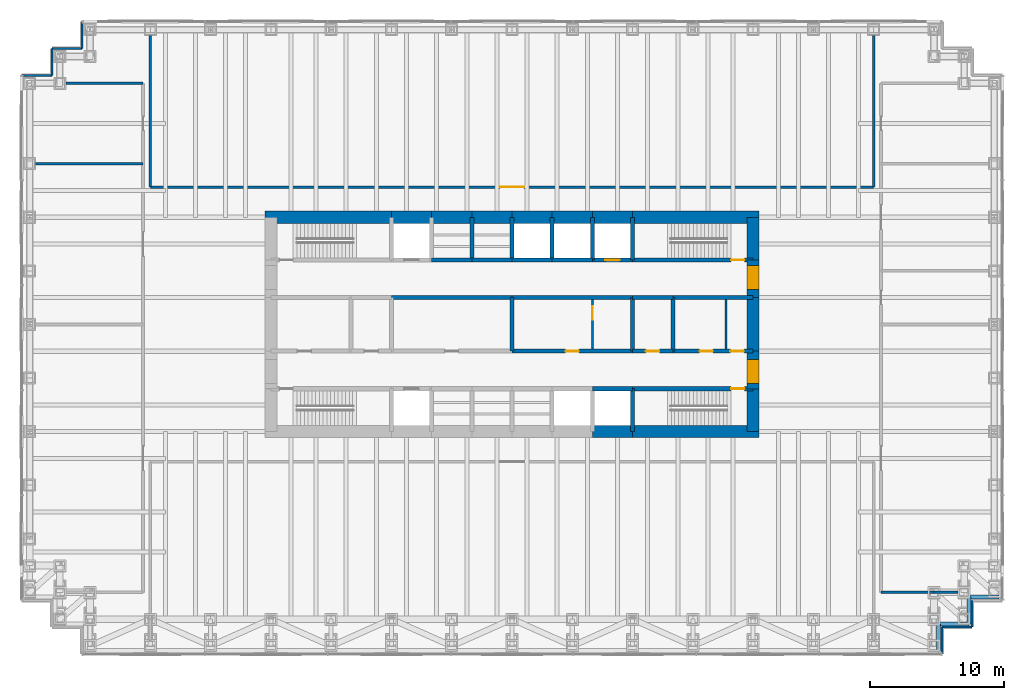
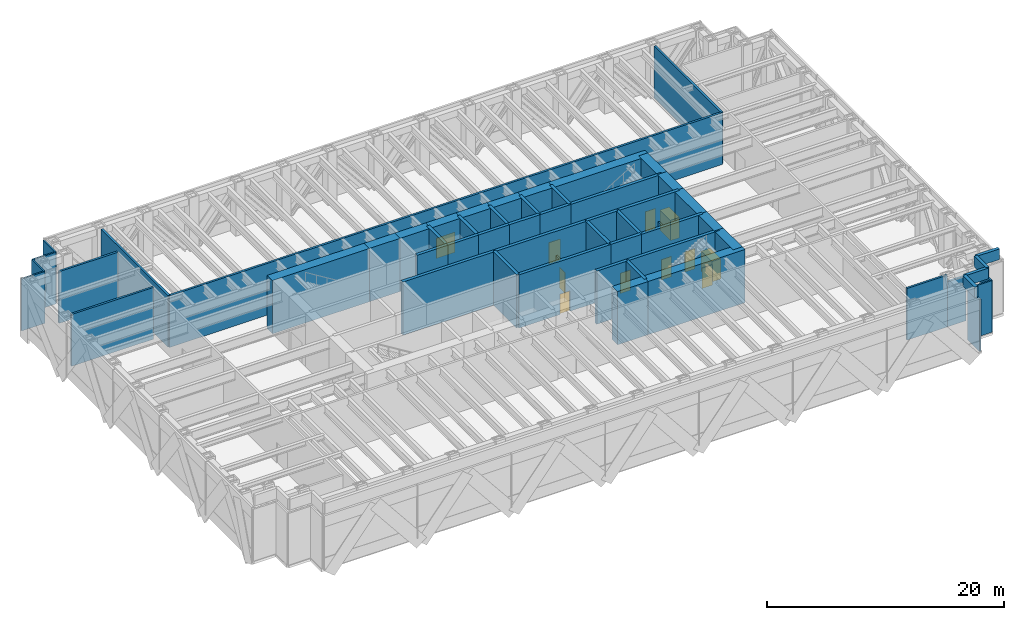
# One storey, part 14 of 16: 59 walls, 11 doors, 11 openings.
"""IFC4 building model written with IfcOpenShell, lengths in metres."""

from ifc_helpers import new_model, si_unit, direction, frame, frame_2d, origin, place, context, subcontext, project, spatial, rectangle, extrude, material, layer, layer_set, type_object, element, fill, save


model = new_model("IFC4")

# Units and contexts
model_context = context("Model", 3, precision=1e-05, world=origin(), true_north=direction((0.0, 1.0)))
body_context = subcontext(model_context, "Body", "Model", "MODEL_VIEW")
ifc_project = project(units=[si_unit("LENGTHUNIT", "METRE"), si_unit("AREAUNIT", "SQUARE_METRE"), si_unit("VOLUMEUNIT", "CUBIC_METRE"), si_unit("PLANEANGLEUNIT", "RADIAN"), si_unit("MASSUNIT", "GRAM", prefix="KILO")], contexts=[model_context])

# Site, building, storey
site_placement = place(None, origin())
site = spatial("IfcSite", under=ifc_project, at=site_placement, CompositionType="ELEMENT")
building_placement = place(site_placement, origin())
building = spatial("IfcBuilding", under=site, at=building_placement, Name="Rheinbord Bourse Tower", CompositionType="ELEMENT")
storey_placement = place(building_placement, frame((0.0, 0.0, 95.0)))
storey = spatial("IfcBuildingStorey", under=building, at=storey_placement, Name="L20", CompositionType="ELEMENT", Elevation=95.0)

# Wall
ifc_material_1 = material(Name="Concrete C50/60", Category="concrete")
ifc_layer_1 = layer(ifc_material_1, 0.300048828125)
ifc_layer_set_1 = layer_set([ifc_layer_1], Name="CORE INNER WALL 300")
wall_type_1 = type_object("IfcWallType", Name="CORE INNER WALL 300", PredefinedType="SOLIDWALL", material=ifc_layer_set_1)
wall_1_placement = place(storey_placement, frame((42.0, 19.199951171875, 0.0), z_axis=(0.0, 0.0, 1.0), x_axis=(1.0, 0.0, 0.0)))
element("IfcWall", 1, at=wall_1_placement, inside=storey, type_object=wall_type_1, Name="Core wall A7 L20", PredefinedType="SOLIDWALL", context=body_context, shape_type="SweptSolid", body=[
    extrude(rectangle(XDim=3.0, YDim=0.300048828125, at=frame_2d((1.5, 0.0))), origin(), (0.0, 0.0, 1.0), 5.5),
])

# Wall, opening, door
wall_2_placement = place(storey_placement, frame((45.0, 19.199951171875, 0.0), z_axis=(0.0, 0.0, 1.0), x_axis=(1.0, 0.0, 0.0)))
wall_2 = element("IfcWall", 2, at=wall_2_placement, inside=storey, type_object=wall_type_1, Name="Core wall A8 L20", PredefinedType="SOLIDWALL", context=body_context, shape_type="SweptSolid", body=[
    extrude(rectangle(XDim=9.0, YDim=0.300048828125, at=frame_2d((4.5, 0.0))), origin(), (0.0, 0.0, 1.0), 5.5),
])
opening_1_placement = place(wall_2_placement, frame((7.35009765625, 0.0, 0.0)))
opening_1 = element("IfcOpeningElement", 3, at=opening_1_placement, cuts=wall_2, Name="Opening 2030", PredefinedType="OPENING", context=body_context, shape_type="SweptSolid", body=[
    extrude(rectangle(XDim=1.0, YDim=2.10009765625, at=frame_2d((0.5, 1.050048828125))), frame((0.0, 0.159912109375, 0.0), z_axis=(0.0, -1.0, 0.0), x_axis=(1.0, 0.0, 0.0)), (0.0, 0.0, 1.0), 0.320068359375),
])
ifc_material_2 = material(Name="Steel door", Category="steel")
door_type_1 = type_object("IfcDoorType", Name="DOOR 1000 EI30", OperationType="SINGLE_SWING_LEFT", PredefinedType="DOOR", material=ifc_material_2)
door_1_placement = place(opening_1_placement, origin())
door_1 = element("IfcDoor", 4, at=door_1_placement, inside=storey, type_object=door_type_1, Name="Stair door ST3 L20", OperationType="SINGLE_SWING_RIGHT", OverallHeight=2.10009765625, OverallWidth=1.0, PredefinedType="DOOR", context=body_context, shape_type="SweptSolid", body=[
    extrude(rectangle(XDim=1.0, YDim=2.10009765625, at=frame_2d((0.5, 1.050048828125))), frame((0.0, 0.02490234375, 0.0), z_axis=(0.0, -1.0, 0.0), x_axis=(1.0, 0.0, 0.0)), (0.0, 0.0, 1.0), 0.050048828125),
])
fill(opening_1, door_1)

# Walls
for number, where, z_axis, x_axis, name in (
    (5, (30.0, 28.800048828125, 0.0), (0.0, 0.0, 1.0), (1.0, 0.0, 0.0), "Core wall B3 L20"),
    (6, (33.0, 28.800048828125, 0.0), (0.0, 0.0, 1.0), (1.0, 0.0, 0.0), "Core wall B4 L20"),
    (7, (36.0, 28.800048828125, 0.0), (0.0, 0.0, 1.0), (1.0, 0.0, 0.0), "Core wall B5 L20"),
    (8, (39.0, 28.800048828125, 0.0), (0.0, 0.0, 1.0), (1.0, 0.0, 0.0), "Core wall B6 L20"),
):
    element("IfcWall", number, at=place(storey_placement, frame(where, z_axis=z_axis, x_axis=x_axis)), inside=storey, type_object=wall_type_1, Name=name, PredefinedType="SOLIDWALL", context=body_context, shape_type="SweptSolid", body=[
        extrude(rectangle(XDim=3.0, YDim=0.300048828125, at=frame_2d((1.5, 0.0))), origin(), (0.0, 0.0, 1.0), 5.5),
    ])

# Wall, opening, door
wall_3_placement = place(storey_placement, frame((42.0, 28.800048828125, 0.0), z_axis=(0.0, 0.0, 1.0), x_axis=(1.0, 0.0, 0.0)))
wall_3 = element("IfcWall", 9, at=wall_3_placement, inside=storey, type_object=wall_type_1, Name="Core wall B7 L20", PredefinedType="SOLIDWALL", context=body_context, shape_type="SweptSolid", body=[
    extrude(rectangle(XDim=3.0, YDim=0.300048828125, at=frame_2d((1.5, 0.0))), origin(), (0.0, 0.0, 1.0), 5.5),
])
opening_2_placement = place(wall_3_placement, frame((0.949951171875, 0.0, 0.0)))
opening_2 = element("IfcOpeningElement", 10, at=opening_2_placement, cuts=wall_3, Name="Opening FL2", PredefinedType="OPENING", context=body_context, shape_type="SweptSolid", body=[
    extrude(rectangle(XDim=1.10009765625, YDim=2.199951171875, at=frame_2d((0.550048828125, 1.10009765625))), frame((0.0, 0.159912109375, 0.0), z_axis=(0.0, -1.0, 0.0), x_axis=(1.0, 0.0, 0.0)), (0.0, 0.0, 1.0), 0.320068359375),
])
ifc_material_3 = material(Name="Steel landing door", Category="steel")
door_type_2 = type_object("IfcDoorType", Name="LIFT LANDING DOOR 1100", OperationType="DOUBLE_DOOR_SLIDING", PredefinedType="USERDEFINED", material=ifc_material_3)
door_2_placement = place(opening_2_placement, origin())
door_2 = element("IfcDoor", 11, at=door_2_placement, inside=storey, type_object=door_type_2, Name="Lift landing door FL2 L20", ObjectType="LIFT LANDING DOOR", OperationType="DOUBLE_DOOR_SLIDING", OverallHeight=2.199951171875, OverallWidth=1.10009765625, PredefinedType="USERDEFINED", context=body_context, shape_type="SweptSolid", body=[
    extrude(rectangle(XDim=1.10009765625, YDim=2.199951171875, at=frame_2d((0.550048828125, 1.10009765625))), frame((0.0, 0.02490234375, 0.0), z_axis=(0.0, -1.0, 0.0), x_axis=(1.0, 0.0, 0.0)), (0.0, 0.0, 1.0), 0.050048828125),
])
fill(opening_2, door_2)

wall_4_placement = place(storey_placement, frame((45.0, 28.800048828125, 0.0), z_axis=(0.0, 0.0, 1.0), x_axis=(1.0, 0.0, 0.0)))
wall_4 = element("IfcWall", 12, at=wall_4_placement, inside=storey, type_object=wall_type_1, Name="Core wall B8 L20", PredefinedType="SOLIDWALL", context=body_context, shape_type="SweptSolid", body=[
    extrude(rectangle(XDim=9.0, YDim=0.300048828125, at=frame_2d((4.5, 0.0))), origin(), (0.0, 0.0, 1.0), 5.5),
])
opening_3_placement = place(wall_4_placement, frame((7.35009765625, 0.0, 0.0)))
opening_3 = element("IfcOpeningElement", 13, at=opening_3_placement, cuts=wall_4, Name="Opening 2040", PredefinedType="OPENING", context=body_context, shape_type="SweptSolid", body=[
    extrude(rectangle(XDim=1.0, YDim=2.10009765625, at=frame_2d((0.5, 1.050048828125))), frame((0.0, 0.159912109375, 0.0), z_axis=(0.0, -1.0, 0.0), x_axis=(1.0, 0.0, 0.0)), (0.0, 0.0, 1.0), 0.320068359375),
])
door_3_placement = place(opening_3_placement, origin())
door_3 = element("IfcDoor", 14, at=door_3_placement, inside=storey, type_object=door_type_1, Name="Stair door ST4 L20", OperationType="SINGLE_SWING_RIGHT", OverallHeight=2.10009765625, OverallWidth=1.0, PredefinedType="DOOR", context=body_context, shape_type="SweptSolid", body=[
    extrude(rectangle(XDim=1.0, YDim=2.10009765625, at=frame_2d((0.5, 1.050048828125))), frame((0.0, 0.02490234375, 0.0), z_axis=(0.0, -1.0, 0.0), x_axis=(1.0, 0.0, 0.0)), (0.0, 0.0, 1.0), 0.050048828125),
])
fill(opening_3, door_3)

wall_5_placement = place(storey_placement, frame((36.0, 22.0, 0.0), z_axis=(0.0, 0.0, 1.0), x_axis=(1.0, 0.0, 0.0)))
wall_5 = element("IfcWall", 15, at=wall_5_placement, inside=storey, type_object=wall_type_1, Name="Core wall C4 L20", PredefinedType="SOLIDWALL", context=body_context, shape_type="SweptSolid", body=[
    extrude(rectangle(XDim=9.0, YDim=0.300048828125, at=frame_2d((4.5, 0.0))), origin(), (0.0, 0.0, 1.0), 5.5),
])
opening_4_placement = place(wall_5_placement, frame((4.0, 0.0, 0.0)))
opening_4 = element("IfcOpeningElement", 16, at=opening_4_placement, cuts=wall_5, Name="Opening 20R4", PredefinedType="OPENING", context=body_context, shape_type="SweptSolid", body=[
    extrude(rectangle(XDim=1.0, YDim=2.10009765625, at=frame_2d((0.5, 1.050048828125))), frame((0.0, 0.159912109375, 0.0), z_axis=(0.0, -1.0, 0.0), x_axis=(1.0, 0.0, 0.0)), (0.0, 0.0, 1.0), 0.320068359375),
])
door_4_placement = place(opening_4_placement, origin())
door_4 = element("IfcDoor", 17, at=door_4_placement, inside=storey, type_object=door_type_1, Name="IT room door L20", OperationType="SINGLE_SWING_LEFT", OverallHeight=2.10009765625, OverallWidth=1.0, PredefinedType="DOOR", context=body_context, shape_type="SweptSolid", body=[
    extrude(rectangle(XDim=1.0, YDim=2.10009765625, at=frame_2d((0.5, 1.050048828125))), frame((0.0, 0.02490234375, 0.0), z_axis=(0.0, -1.0, 0.0), x_axis=(1.0, 0.0, 0.0)), (0.0, 0.0, 1.0), 0.050048828125),
])
fill(opening_4, door_4)

wall_6_placement = place(storey_placement, frame((45.0, 22.0, 0.0), z_axis=(0.0, 0.0, 1.0), x_axis=(1.0, 0.0, 0.0)))
wall_6 = element("IfcWall", 18, at=wall_6_placement, inside=storey, type_object=wall_type_1, Name="Core wall C5 L20", PredefinedType="SOLIDWALL", context=body_context, shape_type="SweptSolid", body=[
    extrude(rectangle(XDim=3.0, YDim=0.300048828125, at=frame_2d((1.5, 0.0))), origin(), (0.0, 0.0, 1.0), 5.5),
])
opening_5_placement = place(wall_6_placement, frame((1.0, 0.0, 0.0)))
opening_5 = element("IfcOpeningElement", 19, at=opening_5_placement, cuts=wall_6, Name="Opening 20R5", PredefinedType="OPENING", context=body_context, shape_type="SweptSolid", body=[
    extrude(rectangle(XDim=1.0, YDim=2.10009765625, at=frame_2d((0.5, 1.050048828125))), frame((0.0, 0.159912109375, 0.0), z_axis=(0.0, -1.0, 0.0), x_axis=(1.0, 0.0, 0.0)), (0.0, 0.0, 1.0), 0.320068359375),
])
ifc_material_4 = material(Name="Timber door", Category="wood")
door_type_3 = type_object("IfcDoorType", Name="DOOR 1000 WC", OperationType="SINGLE_SWING_LEFT", PredefinedType="DOOR", material=ifc_material_4)
door_5_placement = place(opening_5_placement, origin())
door_5 = element("IfcDoor", 20, at=door_5_placement, inside=storey, type_object=door_type_3, Name="Accessible WC door L20", OperationType="SINGLE_SWING_LEFT", OverallHeight=2.10009765625, OverallWidth=1.0, PredefinedType="DOOR", context=body_context, shape_type="SweptSolid", body=[
    extrude(rectangle(XDim=1.0, YDim=2.10009765625, at=frame_2d((0.5, 1.050048828125))), frame((0.0, 0.02490234375, 0.0), z_axis=(0.0, -1.0, 0.0), x_axis=(1.0, 0.0, 0.0)), (0.0, 0.0, 1.0), 0.050048828125),
])
fill(opening_5, door_5)

# Wall, openings, doors
wall_7_placement = place(storey_placement, frame((48.0, 22.0, 0.0), z_axis=(0.0, 0.0, 1.0), x_axis=(1.0, 0.0, 0.0)))
wall_7 = element("IfcWall", 21, at=wall_7_placement, inside=storey, type_object=wall_type_1, Name="Core wall C6 L20", PredefinedType="SOLIDWALL", context=body_context, shape_type="SweptSolid", body=[
    extrude(rectangle(XDim=6.0, YDim=0.300048828125, at=frame_2d((3.0, 0.0))), origin(), (0.0, 0.0, 1.0), 5.5),
])
opening_6_placement = place(wall_7_placement, frame((2.0, 0.0, 0.0)))
opening_6 = element("IfcOpeningElement", 22, at=opening_6_placement, cuts=wall_7, Name="Opening 20R6", PredefinedType="OPENING", context=body_context, shape_type="SweptSolid", body=[
    extrude(rectangle(XDim=1.0, YDim=2.10009765625, at=frame_2d((0.5, 1.050048828125))), frame((0.0, 0.159912109375, 0.0), z_axis=(0.0, -1.0, 0.0), x_axis=(1.0, 0.0, 0.0)), (0.0, 0.0, 1.0), 0.320068359375),
])
opening_7_placement = place(wall_7_placement, frame((4.300048828125, 0.0, 0.0)))
opening_7 = element("IfcOpeningElement", 23, at=opening_7_placement, cuts=wall_7, Name="Opening 20R10", PredefinedType="OPENING", context=body_context, shape_type="SweptSolid", body=[
    extrude(rectangle(XDim=1.0, YDim=2.10009765625, at=frame_2d((0.5, 1.050048828125))), frame((0.0, 0.159912109375, 0.0), z_axis=(0.0, -1.0, 0.0), x_axis=(1.0, 0.0, 0.0)), (0.0, 0.0, 1.0), 0.320068359375),
])
door_6_placement = place(opening_7_placement, origin())
door_6 = element("IfcDoor", 24, at=door_6_placement, inside=storey, type_object=door_type_1, Name="Cleaner's store door L20", OperationType="SINGLE_SWING_RIGHT", OverallHeight=2.10009765625, OverallWidth=1.0, PredefinedType="DOOR", context=body_context, shape_type="SweptSolid", body=[
    extrude(rectangle(XDim=1.0, YDim=2.10009765625, at=frame_2d((0.5, 1.050048828125))), frame((0.0, 0.02490234375, 0.0), z_axis=(0.0, -1.0, 0.0), x_axis=(1.0, 0.0, 0.0)), (0.0, 0.0, 1.0), 0.050048828125),
])
fill(opening_7, door_6)
door_7_placement = place(opening_6_placement, origin())
door_7 = element("IfcDoor", 25, at=door_7_placement, inside=storey, type_object=door_type_3, Name="WC women door L20", OperationType="SINGLE_SWING_LEFT", OverallHeight=2.10009765625, OverallWidth=1.0, PredefinedType="DOOR", context=body_context, shape_type="SweptSolid", body=[
    extrude(rectangle(XDim=1.0, YDim=2.10009765625, at=frame_2d((0.5, 1.050048828125))), frame((0.0, 0.02490234375, 0.0), z_axis=(0.0, -1.0, 0.0), x_axis=(1.0, 0.0, 0.0)), (0.0, 0.0, 1.0), 0.050048828125),
])
fill(opening_6, door_7)

# Walls
for number, where, z_axis, x_axis, name in (
    (26, (27.0, 26.0, 0.0), (0.0, 0.0, 1.0), (1.0, 0.0, 0.0), "Core wall D3 L20"),
    (27, (36.0, 26.0, 0.0), (0.0, 0.0, 1.0), (1.0, 0.0, 0.0), "Core wall D4 L20"),
):
    element("IfcWall", number, at=place(storey_placement, frame(where, z_axis=z_axis, x_axis=x_axis)), inside=storey, type_object=wall_type_1, Name=name, PredefinedType="SOLIDWALL", context=body_context, shape_type="SweptSolid", body=[
        extrude(rectangle(XDim=9.0, YDim=0.300048828125, at=frame_2d((4.5, 0.0))), origin(), (0.0, 0.0, 1.0), 5.5),
    ])
wall_8_placement = place(storey_placement, frame((45.0, 26.0, 0.0), z_axis=(0.0, 0.0, 1.0), x_axis=(1.0, 0.0, 0.0)))
element("IfcWall", 28, at=wall_8_placement, inside=storey, type_object=wall_type_1, Name="Core wall D5 L20", PredefinedType="SOLIDWALL", context=body_context, shape_type="SweptSolid", body=[
    extrude(rectangle(XDim=3.0, YDim=0.300048828125, at=frame_2d((1.5, 0.0))), origin(), (0.0, 0.0, 1.0), 5.5),
])
wall_9_placement = place(storey_placement, frame((48.0, 26.0, 0.0), z_axis=(0.0, 0.0, 1.0), x_axis=(1.0, 0.0, 0.0)))
element("IfcWall", 29, at=wall_9_placement, inside=storey, type_object=wall_type_1, Name="Core wall D6 L20", PredefinedType="SOLIDWALL", context=body_context, shape_type="SweptSolid", body=[
    extrude(rectangle(XDim=6.0, YDim=0.300048828125, at=frame_2d((3.0, 0.0))), origin(), (0.0, 0.0, 1.0), 5.5),
])
for number, where, z_axis, x_axis, name in (
    (30, (33.0, 28.800048828125, 0.0), (0.0, 0.0, 1.0), (0.0, 1.0, 0.0), "Core wall NX33 L20"),
    (31, (36.0, 28.800048828125, 0.0), (0.0, 0.0, 1.0), (0.0, 1.0, 0.0), "Core wall NX36 L20"),
    (32, (39.0, 28.800048828125, 0.0), (0.0, 0.0, 1.0), (0.0, 1.0, 0.0), "Core wall NX39 L20"),
    (33, (42.0, 28.800048828125, 0.0), (0.0, 0.0, 1.0), (0.0, 1.0, 0.0), "Core wall NX42 L20"),
    (34, (45.0, 16.0, 0.0), (0.0, 0.0, 1.0), (0.0, 1.0, 0.0), "Core wall SX45 L20"),
    (35, (45.0, 28.800048828125, 0.0), (0.0, 0.0, 1.0), (0.0, 1.0, 0.0), "Core wall NX45 L20"),
):
    element("IfcWall", number, at=place(storey_placement, frame(where, z_axis=z_axis, x_axis=x_axis)), inside=storey, type_object=wall_type_1, Name=name, PredefinedType="SOLIDWALL", context=body_context, shape_type="SweptSolid", body=[
        extrude(rectangle(XDim=3.199951171875, YDim=0.300048828125, at=frame_2d((1.60009765625, 0.0))), origin(), (0.0, 0.0, 1.0), 5.5),
    ])
for number, where, z_axis, x_axis, name in (
    (36, (36.0, 22.0, 0.0), (0.0, 0.0, 1.0), (0.0, 1.0, 0.0), "Core wall MX36 L20"),
    (37, (45.0, 22.0, 0.0), (0.0, 0.0, 1.0), (0.0, 1.0, 0.0), "Core wall MX45 L20"),
    (38, (48.0, 22.0, 0.0), (0.0, 0.0, 1.0), (0.0, 1.0, 0.0), "Core wall MX48 L20"),
):
    element("IfcWall", number, at=place(storey_placement, frame(where, z_axis=z_axis, x_axis=x_axis)), inside=storey, type_object=wall_type_1, Name=name, PredefinedType="SOLIDWALL", context=body_context, shape_type="SweptSolid", body=[
        extrude(rectangle(XDim=4.0, YDim=0.300048828125, at=frame_2d((2.0, 0.0))), origin(), (0.0, 0.0, 1.0), 5.5),
    ])

# Wall, opening, door
ifc_material_5 = material(Name="Gypsum board fire partition", Category="gypsum board")
ifc_layer_2 = layer(ifc_material_5, 0.14990234375)
ifc_layer_set_2 = layer_set([ifc_layer_2], Name="CORE PARTITION 150 EI30")
wall_type_2 = type_object("IfcWallType", Name="CORE PARTITION 150 EI30", PredefinedType="PARTITIONING", material=ifc_layer_set_2)
wall_10_placement = place(storey_placement, frame((42.0, 22.14990234375, 0.0), z_axis=(0.0, 0.0, 1.0), x_axis=(0.0, 1.0, 0.0)))
wall_10 = element("IfcWall", 39, at=wall_10_placement, inside=storey, type_object=wall_type_2, Name="Core partition L20-1", PredefinedType="PARTITIONING", context=body_context, shape_type="SweptSolid", body=[
    extrude(rectangle(XDim=3.7001953125, YDim=0.14990234375, at=frame_2d((1.85009765625, 0.0))), origin(), (0.0, 0.0, 1.0), 3.0),
])
opening_8_placement = place(wall_10_placement, frame((2.199951171875, 0.0, 0.0)))
opening_8 = element("IfcOpeningElement", 40, at=opening_8_placement, cuts=wall_10, Name="Opening 20R7", PredefinedType="OPENING", context=body_context, shape_type="SweptSolid", body=[
    extrude(rectangle(XDim=1.0, YDim=2.10009765625, at=frame_2d((0.5, 1.050048828125))), frame((0.0, 0.0849609375, 0.0), z_axis=(0.0, -1.0, 0.0), x_axis=(1.0, 0.0, 0.0)), (0.0, 0.0, 1.0), 0.169921875),
])
door_8_placement = place(opening_8_placement, origin())
door_8 = element("IfcDoor", 41, at=door_8_placement, inside=storey, type_object=door_type_1, Name="Store door L20", OperationType="SINGLE_SWING_RIGHT", OverallHeight=2.10009765625, OverallWidth=1.0, PredefinedType="DOOR", context=body_context, shape_type="SweptSolid", body=[
    extrude(rectangle(XDim=1.0, YDim=2.10009765625, at=frame_2d((0.5, 1.050048828125))), frame((0.0, 0.02490234375, 0.0), z_axis=(0.0, -1.0, 0.0), x_axis=(1.0, 0.0, 0.0)), (0.0, 0.0, 1.0), 0.050048828125),
])
fill(opening_8, door_8)

# Walls
wall_11_placement = place(storey_placement, frame((51.97509765625, 22.14990234375, 0.0), z_axis=(0.0, 0.0, 1.0), x_axis=(0.0, 1.0, 0.0)))
element("IfcWall", 42, at=wall_11_placement, inside=storey, type_object=wall_type_2, Name="Core partition L20-3", PredefinedType="PARTITIONING", context=body_context, shape_type="SweptSolid", body=[
    extrude(rectangle(XDim=3.7001953125, YDim=0.14990234375, at=frame_2d((1.85009765625, 0.0))), origin(), (0.0, 0.0, 1.0), 3.0),
])
ifc_material_6 = material(Name="Concrete C50/60", Category="concrete")
ifc_layer_3 = layer(ifc_material_6, 0.89990234375)
ifc_layer_set_3 = layer_set([ifc_layer_3], Name="CORE WALL 900")
wall_type_3 = type_object("IfcWallType", Name="CORE WALL 900", PredefinedType="SHEAR", material=ifc_layer_set_3)
wall_12_placement = place(storey_placement, frame((42.0, 16.0, 0.0), z_axis=(0.0, 0.0, 1.0), x_axis=(1.0, 0.0, 0.0)))
element("IfcWall", 43, at=wall_12_placement, inside=storey, type_object=wall_type_3, Name="Core wall S7 L20", PredefinedType="SHEAR", context=body_context, shape_type="SweptSolid", body=[
    extrude(rectangle(XDim=3.0, YDim=0.89990234375, at=frame_2d((1.5, 0.0))), origin(), (0.0, 0.0, 1.0), 5.5),
])
for number, where, z_axis, x_axis, name in (
    (44, (45.0, 16.0, 0.0), (0.0, 0.0, 1.0), (1.0, 0.0, 0.0), "Core wall S8 L20"),
    (45, (54.449951171875, 32.0, 0.0), (0.0, 0.0, 1.0), (-1.0, 0.0, 0.0), "Core wall N1 L20"),
):
    element("IfcWall", number, at=place(storey_placement, frame(where, z_axis=z_axis, x_axis=x_axis)), inside=storey, type_object=wall_type_3, Name=name, PredefinedType="SHEAR", context=body_context, shape_type="SweptSolid", body=[
        extrude(rectangle(XDim=9.449951171875, YDim=0.89990234375, at=frame_2d((4.72509765625, 0.0))), origin(), (0.0, 0.0, 1.0), 5.5),
    ])
for number, where, z_axis, x_axis, name in (
    (46, (45.0, 32.0, 0.0), (0.0, 0.0, 1.0), (-1.0, 0.0, 0.0), "Core wall N2 L20"),
    (47, (42.0, 32.0, 0.0), (0.0, 0.0, 1.0), (-1.0, 0.0, 0.0), "Core wall N3 L20"),
    (48, (39.0, 32.0, 0.0), (0.0, 0.0, 1.0), (-1.0, 0.0, 0.0), "Core wall N4 L20"),
    (49, (36.0, 32.0, 0.0), (0.0, 0.0, 1.0), (-1.0, 0.0, 0.0), "Core wall N5 L20"),
    (50, (33.0, 32.0, 0.0), (0.0, 0.0, 1.0), (-1.0, 0.0, 0.0), "Core wall N6 L20"),
    (51, (30.0, 32.0, 0.0), (0.0, 0.0, 1.0), (-1.0, 0.0, 0.0), "Core wall N7 L20"),
):
    element("IfcWall", number, at=place(storey_placement, frame(where, z_axis=z_axis, x_axis=x_axis)), inside=storey, type_object=wall_type_3, Name=name, PredefinedType="SHEAR", context=body_context, shape_type="SweptSolid", body=[
        extrude(rectangle(XDim=3.0, YDim=0.89990234375, at=frame_2d((1.5, 0.0))), origin(), (0.0, 0.0, 1.0), 5.5),
    ])
wall_13_placement = place(storey_placement, frame((27.0, 32.0, 0.0), z_axis=(0.0, 0.0, 1.0), x_axis=(-1.0, 0.0, 0.0)))
element("IfcWall", 52, at=wall_13_placement, inside=storey, type_object=wall_type_3, Name="Core wall N8 L20", PredefinedType="SHEAR", context=body_context, shape_type="SweptSolid", body=[
    extrude(rectangle(XDim=9.449951171875, YDim=0.89990234375, at=frame_2d((4.72509765625, 0.0))), origin(), (0.0, 0.0, 1.0), 5.5),
])
wall_14_placement = place(storey_placement, frame((54.0, 16.0, 0.0), z_axis=(0.0, 0.0, 1.0), x_axis=(0.0, 1.0, 0.0)))
element("IfcWall", 53, at=wall_14_placement, inside=storey, type_object=wall_type_3, Name="Core wall E1 L20", PredefinedType="SHEAR", context=body_context, shape_type="SweptSolid", body=[
    extrude(rectangle(XDim=3.199951171875, YDim=0.89990234375, at=frame_2d((1.60009765625, 0.0))), origin(), (0.0, 0.0, 1.0), 5.5),
])

# Wall, opening, door
wall_15_placement = place(storey_placement, frame((54.0, 19.199951171875, 0.0), z_axis=(0.0, 0.0, 1.0), x_axis=(0.0, 1.0, 0.0)))
wall_15 = element("IfcWall", 54, at=wall_15_placement, inside=storey, type_object=wall_type_3, Name="Core wall E2 L20", PredefinedType="SHEAR", context=body_context, shape_type="SweptSolid", body=[
    extrude(rectangle(XDim=2.800048828125, YDim=0.89990234375, at=frame_2d((1.39990234375, 0.0))), origin(), (0.0, 0.0, 1.0), 5.5),
])
opening_9_placement = place(wall_15_placement, frame((0.39990234375, 0.0, 0.0)))
opening_9 = element("IfcOpeningElement", 55, at=opening_9_placement, cuts=wall_15, Name="Opening 20L3", PredefinedType="OPENING", context=body_context, shape_type="SweptSolid", body=[
    extrude(rectangle(XDim=1.800048828125, YDim=2.10009765625, at=frame_2d((0.89990234375, 1.050048828125))), frame((0.0, 0.4599609375, 0.0), z_axis=(0.0, -1.0, 0.0), x_axis=(1.0, 0.0, 0.0)), (0.0, 0.0, 1.0), 0.919921875),
])
ifc_material_7 = material(Name="Steel door", Category="steel")
door_type_4 = type_object("IfcDoorType", Name="DOOR 1800 EI30 DOUBLE", OperationType="DOUBLE_DOOR_DOUBLE_SWING", PredefinedType="DOOR", material=ifc_material_7)
door_9_placement = place(opening_9_placement, origin())
door_9 = element("IfcDoor", 56, at=door_9_placement, inside=storey, type_object=door_type_4, Name="Lobby door 3 L20", OperationType="SINGLE_SWING_LEFT", OverallHeight=2.10009765625, OverallWidth=1.800048828125, PredefinedType="DOOR", context=body_context, shape_type="SweptSolid", body=[
    extrude(rectangle(XDim=1.800048828125, YDim=2.10009765625, at=frame_2d((0.89990234375, 1.050048828125))), frame((0.0, 0.44970703125, 0.0), z_axis=(0.0, -1.0, 0.0), x_axis=(1.0, 0.0, 0.0)), (0.0, 0.0, 1.0), 0.8994140625),
])
fill(opening_9, door_9)

# Wall
wall_16_placement = place(storey_placement, frame((54.0, 22.0, 0.0), z_axis=(0.0, 0.0, 1.0), x_axis=(0.0, 1.0, 0.0)))
element("IfcWall", 57, at=wall_16_placement, inside=storey, type_object=wall_type_3, Name="Core wall E3 L20", PredefinedType="SHEAR", context=body_context, shape_type="SweptSolid", body=[
    extrude(rectangle(XDim=4.0, YDim=0.89990234375, at=frame_2d((2.0, 0.0))), origin(), (0.0, 0.0, 1.0), 5.5),
])

# Wall, opening, door
wall_17_placement = place(storey_placement, frame((54.0, 26.0, 0.0), z_axis=(0.0, 0.0, 1.0), x_axis=(0.0, 1.0, 0.0)))
wall_17 = element("IfcWall", 58, at=wall_17_placement, inside=storey, type_object=wall_type_3, Name="Core wall E4 L20", PredefinedType="SHEAR", context=body_context, shape_type="SweptSolid", body=[
    extrude(rectangle(XDim=2.800048828125, YDim=0.89990234375, at=frame_2d((1.39990234375, 0.0))), origin(), (0.0, 0.0, 1.0), 5.5),
])
opening_10_placement = place(wall_17_placement, frame((0.60009765625, 0.0, 0.0)))
opening_10 = element("IfcOpeningElement", 59, at=opening_10_placement, cuts=wall_17, Name="Opening 20L4", PredefinedType="OPENING", context=body_context, shape_type="SweptSolid", body=[
    extrude(rectangle(XDim=1.800048828125, YDim=2.10009765625, at=frame_2d((0.89990234375, 1.050048828125))), frame((0.0, 0.4599609375, 0.0), z_axis=(0.0, -1.0, 0.0), x_axis=(1.0, 0.0, 0.0)), (0.0, 0.0, 1.0), 0.919921875),
])
door_10_placement = place(opening_10_placement, origin())
door_10 = element("IfcDoor", 60, at=door_10_placement, inside=storey, type_object=door_type_4, Name="Lobby door 4 L20", OperationType="SINGLE_SWING_LEFT", OverallHeight=2.10009765625, OverallWidth=1.800048828125, PredefinedType="DOOR", context=body_context, shape_type="SweptSolid", body=[
    extrude(rectangle(XDim=1.800048828125, YDim=2.10009765625, at=frame_2d((0.89990234375, 1.050048828125))), frame((0.0, 0.44970703125, 0.0), z_axis=(0.0, -1.0, 0.0), x_axis=(1.0, 0.0, 0.0)), (0.0, 0.0, 1.0), 0.8994140625),
])
fill(opening_10, door_10)

# Walls
wall_18_placement = place(storey_placement, frame((54.0, 28.800048828125, 0.0), z_axis=(0.0, 0.0, 1.0), x_axis=(0.0, 1.0, 0.0)))
element("IfcWall", 61, at=wall_18_placement, inside=storey, type_object=wall_type_3, Name="Core wall E5 L20", PredefinedType="SHEAR", context=body_context, shape_type="SweptSolid", body=[
    extrude(rectangle(XDim=3.199951171875, YDim=0.89990234375, at=frame_2d((1.60009765625, 0.0))), origin(), (0.0, 0.0, 1.0), 5.5),
])
ifc_material_8 = material(Name="Black metal rainscreen panel", Category="aluminium")
ifc_layer_4 = layer(ifc_material_8, 0.14990234375)
ifc_layer_set_4 = layer_set([ifc_layer_4], Name="CORNER PIER CLADDING 150")
wall_type_4 = type_object("IfcWallType", Name="CORNER PIER CLADDING 150", PredefinedType="ELEMENTEDWALL", material=ifc_layer_set_4)
wall_19_placement = place(storey_placement, frame((68.10009765625, -0.60009765625, 0.0), z_axis=(0.0, 0.0, 1.0), x_axis=(0.0, 1.0, 0.0)))
element("IfcWall", 62, at=wall_19_placement, inside=storey, type_object=wall_type_4, Name="Corner pier cladding L20 2", PredefinedType="ELEMENTEDWALL", context=body_context, shape_type="SweptSolid", body=[
    extrude(rectangle(XDim=2.0, YDim=0.14990234375, at=frame_2d((1.0, 0.0))), origin(), (0.0, 0.0, 1.0), 5.340087890625),
])
wall_20_placement = place(storey_placement, frame((68.10009765625, 1.39990234375, 0.0), z_axis=(0.0, 0.0, 1.0), x_axis=(1.0, 0.0, 0.0)))
element("IfcWall", 63, at=wall_20_placement, inside=storey, type_object=wall_type_4, Name="Corner pier cladding L20 3", PredefinedType="ELEMENTEDWALL", context=body_context, shape_type="SweptSolid", body=[
    extrude(rectangle(XDim=2.25, YDim=0.14990234375, at=frame_2d((1.125, 0.0))), origin(), (0.0, 0.0, 1.0), 5.340087890625),
])
for number, where, z_axis, x_axis, name in (
    (64, (70.35009765625, 1.39990234375, 0.0), (0.0, 0.0, 1.0), (0.0, 1.0, 0.0), "Corner pier cladding L20 4"),
    (65, (3.89990234375, 46.60009765625, 0.0), (0.0, 0.0, 1.0), (0.0, -1.0, 0.0), "Corner pier cladding L20 12"),
):
    element("IfcWall", number, at=place(storey_placement, frame(where, z_axis=z_axis, x_axis=x_axis)), inside=storey, type_object=wall_type_4, Name=name, PredefinedType="ELEMENTEDWALL", context=body_context, shape_type="SweptSolid", body=[
        extrude(rectangle(XDim=2.0, YDim=0.14990234375, at=frame_2d((1.0, 0.0))), origin(), (0.0, 0.0, 1.0), 5.340087890625),
    ])
wall_21_placement = place(storey_placement, frame((3.89990234375, 44.60009765625, 0.0), z_axis=(0.0, 0.0, 1.0), x_axis=(-1.0, 0.0, 0.0)))
element("IfcWall", 66, at=wall_21_placement, inside=storey, type_object=wall_type_4, Name="Corner pier cladding L20 13", PredefinedType="ELEMENTEDWALL", context=body_context, shape_type="SweptSolid", body=[
    extrude(rectangle(XDim=2.25, YDim=0.14990234375, at=frame_2d((1.125, 0.0))), origin(), (0.0, 0.0, 1.0), 5.340087890625),
])
wall_22_placement = place(storey_placement, frame((1.64990234375, 44.60009765625, 0.0), z_axis=(0.0, 0.0, 1.0), x_axis=(0.0, -1.0, 0.0)))
element("IfcWall", 67, at=wall_22_placement, inside=storey, type_object=wall_type_4, Name="Corner pier cladding L20 14", PredefinedType="ELEMENTEDWALL", context=body_context, shape_type="SweptSolid", body=[
    extrude(rectangle(XDim=2.0, YDim=0.14990234375, at=frame_2d((1.0, 0.0))), origin(), (0.0, 0.0, 1.0), 5.340087890625),
])
wall_23_placement = place(storey_placement, frame((1.64990234375, 42.60009765625, 0.0), z_axis=(0.0, 0.0, 1.0), x_axis=(-1.0, 0.0, 0.0)))
element("IfcWall", 68, at=wall_23_placement, inside=storey, type_object=wall_type_4, Name="Corner pier cladding L20 15", PredefinedType="ELEMENTEDWALL", context=body_context, shape_type="SweptSolid", body=[
    extrude(rectangle(XDim=2.25, YDim=0.14990234375, at=frame_2d((1.125, 0.0))), origin(), (0.0, 0.0, 1.0), 5.340087890625),
])
ifc_material_9 = material(Name="Concrete C30/37", Category="concrete")
ifc_layer_5 = layer(ifc_material_9, 0.300048828125)
ifc_layer_set_5 = layer_set([ifc_layer_5], Name="PARAPET 300")
wall_type_5 = type_object("IfcWallType", Name="PARAPET 300", PredefinedType="PARAPET", material=ifc_layer_set_5)
wall_24_placement = place(storey_placement, frame((67.85009765625, -0.35009765625, 5.5), z_axis=(0.0, 0.0, 1.0), x_axis=(0.0, 1.0, 0.0)))
element("IfcWall", 69, at=wall_24_placement, inside=storey, type_object=wall_type_5, Name="Setback parapet L21 2", PredefinedType="PARAPET", context=body_context, shape_type="SweptSolid", body=[
    extrude(rectangle(XDim=2.0, YDim=0.300048828125, at=frame_2d((1.0, 0.0))), origin(), (0.0, 0.0, 1.0), 1.10009765625),
])
wall_25_placement = place(storey_placement, frame((67.85009765625, 1.64990234375, 5.5), z_axis=(0.0, 0.0, 1.0), x_axis=(1.0, 0.0, 0.0)))
element("IfcWall", 70, at=wall_25_placement, inside=storey, type_object=wall_type_5, Name="Setback parapet L21 3", PredefinedType="PARAPET", context=body_context, shape_type="SweptSolid", body=[
    extrude(rectangle(XDim=2.25, YDim=0.300048828125, at=frame_2d((1.125, 0.0))), origin(), (0.0, 0.0, 1.0), 1.10009765625),
])
wall_26_placement = place(storey_placement, frame((70.10009765625, 1.64990234375, 5.5), z_axis=(0.0, 0.0, 1.0), x_axis=(0.0, 1.0, 0.0)))
element("IfcWall", 71, at=wall_26_placement, inside=storey, type_object=wall_type_5, Name="Setback parapet L21 4", PredefinedType="PARAPET", context=body_context, shape_type="SweptSolid", body=[
    extrude(rectangle(XDim=2.0, YDim=0.300048828125, at=frame_2d((1.0, 0.0))), origin(), (0.0, 0.0, 1.0), 1.10009765625),
])
wall_27_placement = place(storey_placement, frame((70.10009765625, 3.64990234375, 5.5), z_axis=(0.0, 0.0, 1.0), x_axis=(1.0, 0.0, 0.0)))
element("IfcWall", 72, at=wall_27_placement, inside=storey, type_object=wall_type_5, Name="Setback parapet L21 5", PredefinedType="PARAPET", context=body_context, shape_type="SweptSolid", body=[
    extrude(rectangle(XDim=2.25, YDim=0.300048828125, at=frame_2d((1.125, 0.0))), origin(), (0.0, 0.0, 1.0), 1.10009765625),
])
ifc_material_10 = material(Name="Concrete block plant room wall", Category="concrete")
ifc_layer_6 = layer(ifc_material_10, 0.199951171875)
ifc_layer_set_6 = layer_set([ifc_layer_6], Name="PLANT ROOM PARTITION 200 EI90")
wall_type_6 = type_object("IfcWallType", Name="PLANT ROOM PARTITION 200 EI90", PredefinedType="PARTITIONING", material=ifc_layer_set_6)
wall_28_placement = place(storey_placement, frame((63.550048828125, 4.0, 0.0), z_axis=(0.0, 0.0, 1.0), x_axis=(1.0, 0.0, 0.0)))
element("IfcWall", 73, at=wall_28_placement, inside=storey, type_object=wall_type_6, Name="Partition L20-02", PredefinedType="PARTITIONING", context=body_context, shape_type="SweptSolid", body=[
    extrude(rectangle(XDim=3.949951171875, YDim=0.199951171875, at=frame_2d((1.97509765625, 0.0))), origin(), (0.0, 0.0, 1.0), 5.340087890625),
])
wall_29_placement = place(storey_placement, frame((67.5, 4.0, 0.0), z_axis=(0.0, 0.0, 1.0), x_axis=(1.0, 0.0, 0.0)))
element("IfcWall", 74, at=wall_29_placement, inside=storey, type_object=wall_type_6, Name="Partition L20-02b", PredefinedType="PARTITIONING", context=body_context, shape_type="SweptSolid", body=[
    extrude(rectangle(XDim=1.800048828125, YDim=0.199951171875, at=frame_2d((0.89990234375, 0.0))), origin(), (0.0, 0.0, 1.0), 4.639892578125),
])

# Wall, opening, door
wall_30_placement = place(storey_placement, frame((9.0, 34.25, 0.0), z_axis=(0.0, 0.0, 1.0), x_axis=(1.0, 0.0, 0.0)))
wall_30 = element("IfcWall", 75, at=wall_30_placement, inside=storey, type_object=wall_type_6, Name="Partition L20-07", PredefinedType="PARTITIONING", context=body_context, shape_type="SweptSolid", body=[
    extrude(rectangle(XDim=54.0, YDim=0.199951171875, at=frame_2d((27.0, 0.0))), origin(), (0.0, 0.0, 1.0), 5.340087890625),
])
opening_11_placement = place(wall_30_placement, frame((26.10009765625, 0.0, 0.0)))
opening_11 = element("IfcOpeningElement", 76, at=opening_11_placement, cuts=wall_30, Name="Opening 20P09", PredefinedType="OPENING", context=body_context, shape_type="SweptSolid", body=[
    extrude(rectangle(XDim=1.800048828125, YDim=2.10009765625, at=frame_2d((0.89990234375, 1.050048828125))), frame((0.0, 0.10986328125, 0.0), z_axis=(0.0, -1.0, 0.0), x_axis=(1.0, 0.0, 0.0)), (0.0, 0.0, 1.0), 0.219970703125),
])
ifc_material_11 = material(Name="Steel fire door", Category="steel")
door_type_5 = type_object("IfcDoorType", Name="PLANT ROOM DOUBLE DOOR 1800 EI60", OperationType="DOUBLE_DOOR_DOUBLE_SWING", PredefinedType="DOOR", material=ifc_material_11)
door_11_placement = place(opening_11_placement, origin())
door_11 = element("IfcDoor", 77, at=door_11_placement, inside=storey, type_object=door_type_5, Name="Refuge area door L20", OperationType="SINGLE_SWING_LEFT", OverallHeight=2.10009765625, OverallWidth=1.800048828125, PredefinedType="DOOR", context=body_context, shape_type="SweptSolid", body=[
    extrude(rectangle(XDim=1.800048828125, YDim=2.10009765625, at=frame_2d((0.89990234375, 1.050048828125))), frame((0.0, 0.02490234375, 0.0), z_axis=(0.0, -1.0, 0.0), x_axis=(1.0, 0.0, 0.0)), (0.0, 0.0, 1.0), 0.050048828125),
])
fill(opening_11, door_11)

# Walls
wall_31_placement = place(storey_placement, frame((0.449951171875, 36.0, 0.0), z_axis=(0.0, 0.0, 1.0), x_axis=(1.0, 0.0, 0.0)))
element("IfcWall", 78, at=wall_31_placement, inside=storey, type_object=wall_type_6, Name="Partition L20-08", PredefinedType="PARTITIONING", context=body_context, shape_type="SweptSolid", body=[
    extrude(rectangle(XDim=8.0, YDim=0.199951171875, at=frame_2d((4.0, 0.0))), origin(), (0.0, 0.0, 1.0), 5.340087890625),
])
wall_32_placement = place(storey_placement, frame((2.699951171875, 42.0, 0.0), z_axis=(0.0, 0.0, 1.0), x_axis=(1.0, 0.0, 0.0)))
element("IfcWall", 79, at=wall_32_placement, inside=storey, type_object=wall_type_6, Name="Partition L20-10", PredefinedType="PARTITIONING", context=body_context, shape_type="SweptSolid", body=[
    extrude(rectangle(XDim=5.75, YDim=0.199951171875, at=frame_2d((2.875, 0.0))), origin(), (0.0, 0.0, 1.0), 5.340087890625),
])
for number, where, z_axis, x_axis, name in (
    (80, (9.0, 34.25, 0.0), (0.0, 0.0, 1.0), (0.0, 1.0, 0.0), "Partition L20-14"),
    (81, (63.0, 34.25, 0.0), (0.0, 0.0, 1.0), (0.0, 1.0, 0.0), "Partition L20-16"),
):
    element("IfcWall", number, at=place(storey_placement, frame(where, z_axis=z_axis, x_axis=x_axis)), inside=storey, type_object=wall_type_6, Name=name, PredefinedType="PARTITIONING", context=body_context, shape_type="SweptSolid", body=[
        extrude(rectangle(XDim=11.300048828125, YDim=0.199951171875, at=frame_2d((5.64990234375, 0.0))), origin(), (0.0, 0.0, 1.0), 5.340087890625),
    ])

save(model, "model.ifc")
